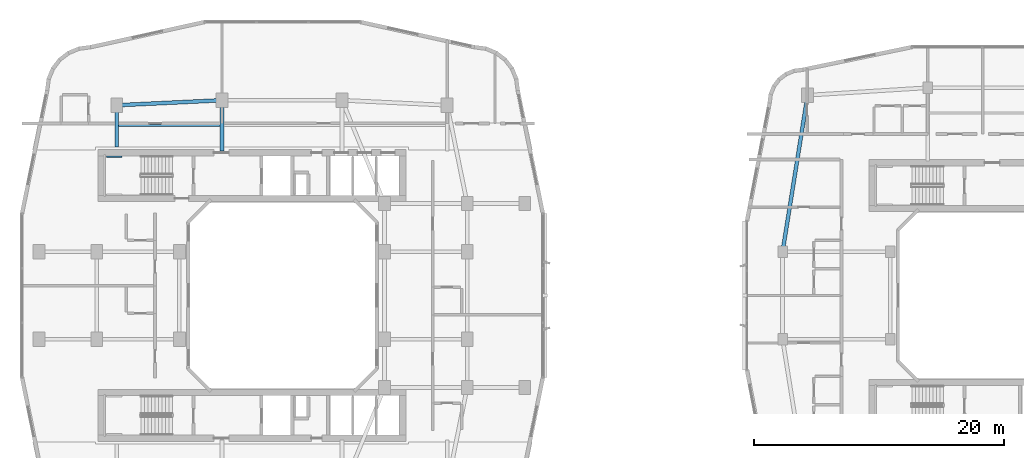
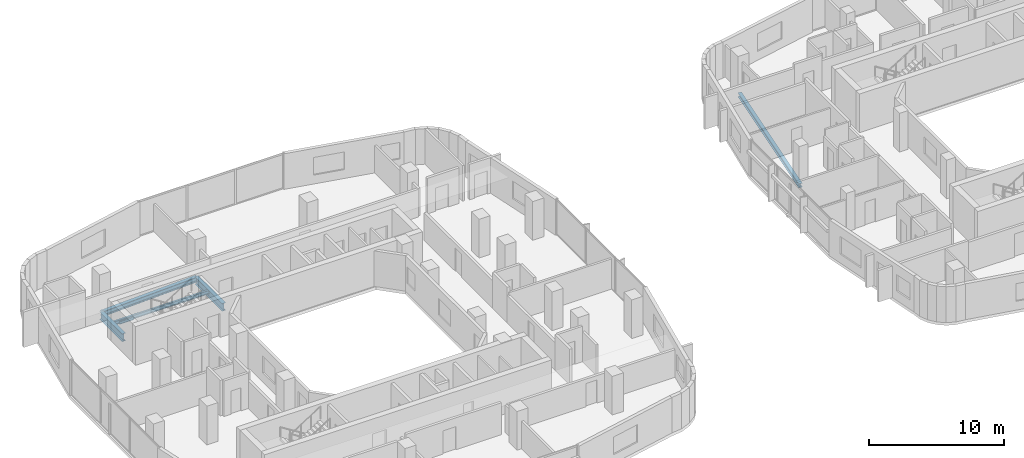
# One storey, part 6 of 26: 6 beams.
"""IFC4 building model written with IfcOpenShell, lengths in metres."""

from ifc_helpers import new_model, si_unit, derived_unit, direction, frame, origin, origin_2d, place, context, subcontext, project, spatial, i_section, extrude, material, material_profile, profile_set, type_object, element, save


model = new_model("IFC4")

# Units and contexts
model_context = context("Model", 3, precision=1e-05, world=origin(), true_north=direction((0.0, 1.0)))
body_context = subcontext(model_context, "Body", "Model", "MODEL_VIEW")
ifc_project = project(units=[si_unit("LENGTHUNIT", "METRE"), si_unit("AREAUNIT", "SQUARE_METRE"), si_unit("VOLUMEUNIT", "CUBIC_METRE"), si_unit("PLANEANGLEUNIT", "RADIAN"), si_unit("MASSUNIT", "GRAM", prefix="KILO"), derived_unit("THERMALTRANSMITTANCEUNIT", [(si_unit("POWERUNIT", "WATT"), 1), (si_unit("LENGTHUNIT", "METRE"), -2), (si_unit("THERMODYNAMICTEMPERATUREUNIT", "KELVIN"), -1)])], contexts=[model_context])

# Site, building, storey
site_placement = place(None, origin())
site = spatial("IfcSite", under=ifc_project, at=site_placement, CompositionType="ELEMENT")
building_placement = place(site_placement, origin())
building = spatial("IfcBuilding", under=site, at=building_placement, Name="Kivonza Crest Hotel", CompositionType="ELEMENT")
storey_placement = place(building_placement, frame((0.0, 0.0, 66.0)))
storey = spatial("IfcBuildingStorey", under=building, at=storey_placement, Name="L17", CompositionType="ELEMENT", Elevation=66.0)

# Beams
ifc_material = material(Name="Steel S355", Category="steel")
ifc_material_profile_1 = material_profile(ifc_material, i_section(OverallWidth=0.300048828125, OverallDepth=0.360107421875, WebThickness=0.012451171875, FlangeThickness=0.0224609375, FilletRadius=0.027099609375, at=origin_2d()), Name="HEB 360")
ifc_profile_set_1 = profile_set([ifc_material_profile_1], Name="Steel S355")
beam_type_1 = type_object("IfcBeamType", Name="BM-HEB360", PredefinedType="SPANDREL", material=ifc_profile_set_1)
beam_1_placement = place(storey_placement, frame((63.0, 41.0, -0.429931640625), z_axis=(-0.157990501107, -0.987440631917, 0.0), x_axis=(0.987440631917, -0.157990501107, 0.0)))
element("IfcBeam", 1, at=beam_1_placement, inside=storey, type_object=beam_type_1, Name="Companion Tower T2 L17 perimeter spandrel NW-W2", PredefinedType="SPANDREL", context=body_context, shape_type="SweptSolid", body=[
    extrude(i_section(OverallWidth=0.300048828125, OverallDepth=0.360107421875, WebThickness=0.012451171875, FlangeThickness=0.0224609375, FilletRadius=0.027099609375, at=origin_2d()), origin(), (0.0, 0.0, 1.0), 12.658935546875),
])
ifc_material_profile_2 = material_profile(ifc_material, i_section(OverallWidth=0.300048828125, OverallDepth=0.449951171875, WebThickness=0.013916015625, FlangeThickness=0.02587890625, FilletRadius=0.027099609375, at=origin_2d()), Name="HEB 450")
ifc_profile_set_2 = profile_set([ifc_material_profile_2], Name="Steel S355")
beam_type_2 = type_object("IfcBeamType", Name="BM-HEB450", PredefinedType="SPANDREL", material=ifc_profile_set_2)
beam_2_placement = place(storey_placement, frame((16.199951171875, 40.60009765625, -0.5048828125), z_axis=(-0.998867283688, -0.047583080799, 0.0), x_axis=(0.047583080799, -0.998867283688, 0.0)))
element("IfcBeam", 2, at=beam_2_placement, inside=storey, type_object=beam_type_2, Name="Tower T1 L17 perimeter spandrel N1-NW", PredefinedType="SPANDREL", context=body_context, shape_type="SweptSolid", body=[
    extrude(i_section(OverallWidth=0.300048828125, OverallDepth=0.449951171875, WebThickness=0.013916015625, FlangeThickness=0.02587890625, FilletRadius=0.027099609375, at=origin_2d()), origin(), (0.0, 0.0, 1.0), 8.409423828125),
])
ifc_material_profile_3 = material_profile(ifc_material, i_section(OverallWidth=0.300048828125, OverallDepth=0.699951171875, WebThickness=0.01708984375, FlangeThickness=0.031982421875, FilletRadius=0.027099609375, at=origin_2d()), Name="HEB 700")
ifc_profile_set_3 = profile_set([ifc_material_profile_3], Name="Steel S355")
beam_type_3 = type_object("IfcBeamType", Name="BM-HEB700", PredefinedType="BEAM", material=ifc_profile_set_3)
beam_3_placement = place(storey_placement, frame((7.800048828125, 40.199951171875, -0.6298828125), z_axis=(0.0, -1.0, 0.0), x_axis=(1.0, 0.0, 0.0)))
element("IfcBeam", 3, at=beam_3_placement, inside=storey, type_object=beam_type_3, Name="Tower T1 L17 radial core girder RNW", PredefinedType="BEAM", context=body_context, shape_type="SweptSolid", body=[
    extrude(i_section(OverallWidth=0.300048828125, OverallDepth=0.699951171875, WebThickness=0.01708984375, FlangeThickness=0.031982421875, FilletRadius=0.027099609375, at=origin_2d()), origin(), (0.0, 0.0, 1.0), 3.349853515625),
])
beam_4_placement = place(storey_placement, frame((16.199951171875, 40.60009765625, -0.6298828125), z_axis=(0.0, -1.0, 0.0), x_axis=(1.0, 0.0, 0.0)))
element("IfcBeam", 4, at=beam_4_placement, inside=storey, type_object=beam_type_3, Name="Tower T1 L17 radial core girder RN1", PredefinedType="BEAM", context=body_context, shape_type="SweptSolid", body=[
    extrude(i_section(OverallWidth=0.300048828125, OverallDepth=0.699951171875, WebThickness=0.01708984375, FlangeThickness=0.031982421875, FilletRadius=0.027099609375, at=origin_2d()), origin(), (0.0, 0.0, 1.0), 4.050048828125),
])
ifc_material_profile_4 = material_profile(ifc_material, i_section(OverallWidth=0.159912109375, OverallDepth=0.330078125, WebThickness=0.007568359375, FlangeThickness=0.011474609375, FilletRadius=0.01806640625, at=origin_2d()), Name="IPE 330")
ifc_profile_set_4 = profile_set([ifc_material_profile_4], Name="Steel S355")
beam_type_4 = type_object("IfcBeamType", Name="BM-IPE330", PredefinedType="JOIST", material=ifc_profile_set_4)
beam_5_placement = place(storey_placement, frame((7.8798828125, 38.60009765625, -0.445068359375), z_axis=(1.0, 0.0, 0.0), x_axis=(0.0, 1.0, 0.0)))
element("IfcBeam", 5, at=beam_5_placement, inside=storey, type_object=beam_type_4, Name="Tower T1 L17 North-West floor joist", PredefinedType="JOIST", context=body_context, shape_type="SweptSolid", body=[
    extrude(i_section(OverallWidth=0.159912109375, OverallDepth=0.330078125, WebThickness=0.007568359375, FlangeThickness=0.011474609375, FilletRadius=0.01806640625, at=origin_2d()), origin(), (0.0, 0.0, 1.0), 8.240234375),
])
ifc_material_profile_5 = material_profile(ifc_material, i_section(OverallWidth=0.1201171875, OverallDepth=0.239990234375, WebThickness=0.006103515625, FlangeThickness=0.009765625, FilletRadius=0.014892578125, at=origin_2d()), Name="IPE 240")
ifc_profile_set_5 = profile_set([ifc_material_profile_5], Name="Steel S355")
beam_type_5 = type_object("IfcBeamType", Name="BM-LLDG-240", PredefinedType="BEAM", material=ifc_profile_set_5)
beam_6_placement = place(storey_placement, frame((6.989990234375, 36.10009765625, 1.429931640625), z_axis=(1.0, 0.0, 0.0), x_axis=(0.0, 1.0, 0.0)))
element("IfcBeam", 6, at=beam_6_placement, inside=storey, type_object=beam_type_5, Name="Stair ST-T1-N L17 North landing corbel", PredefinedType="BEAM", context=body_context, shape_type="SweptSolid", body=[
    extrude(i_section(OverallWidth=0.1201171875, OverallDepth=0.239990234375, WebThickness=0.006103515625, FlangeThickness=0.009765625, FilletRadius=0.014892578125, at=origin_2d()), origin(), (0.0, 0.0, 1.0), 1.2099609375),
])

save(model, "model.ifc")
